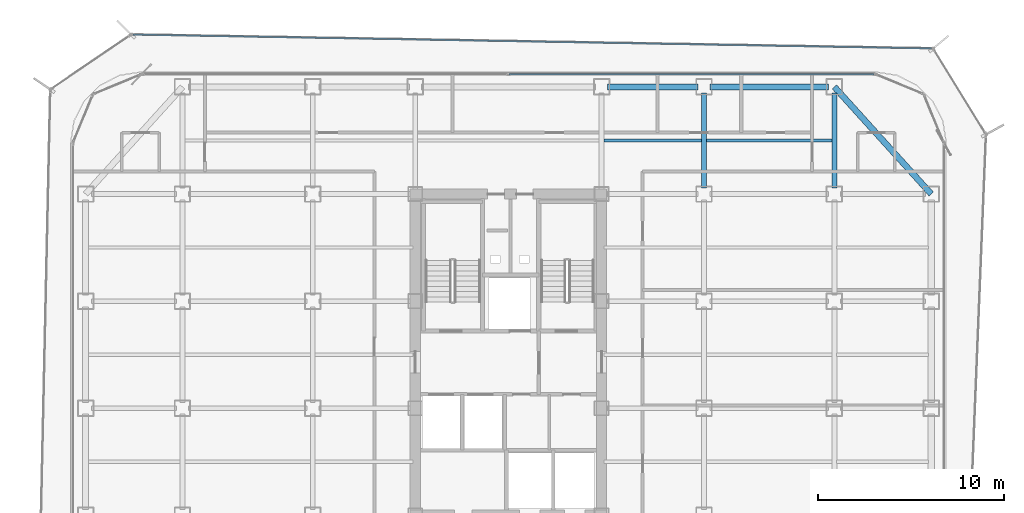
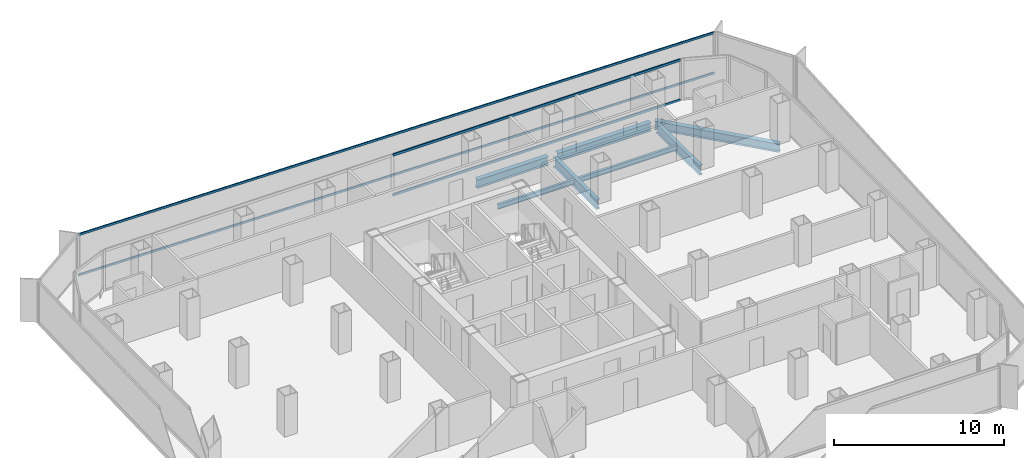
# One storey, part 13 of 21: 7 beams, 4 members, 2 elements without a shape of their own.
"""IFC4 building model written with IfcOpenShell, lengths in metres."""

import ifcopenshell
import ifcopenshell.guid

model = None  # the IFC model being written
_history = None  # IfcOwnerHistory: only IFC2X3 demands one
_inside = {}  # id of a spatial element -> (the spatial element, [elements in it])
_under = {}  # id of a project, library or spatial element -> (it, [spatial elements below it])
_declared = {}  # id of a project -> (the project, [libraries it declares])
_typed = {}  # id of a type object -> (the type object, [elements of that type])
_made_of = {}  # id of a material, layer set ... -> (it, [elements and type objects made of it])


def new_model(schema):
    """Start an empty IFC model of exactly this schema.

    Asked for "IFC4X3", IfcOpenShell would pick the latest addendum, in which some entities
    have other attributes; the version numbers below select the first issue.
    IFC2X3 requires an IfcOwnerHistory on every rooted entity: one is made here for all.
    """
    global model, _history
    if schema == "IFC4X3":
        model = ifcopenshell.file(schema_version=(4, 3, 0, 0))
    else:
        model = ifcopenshell.file(schema=schema)
    _inside.clear()
    _under.clear()
    _declared.clear()
    _typed.clear()
    _made_of.clear()
    _history = None
    if model.schema == "IFC2X3":
        org = make("IfcOrganization", Name="unknown")
        user = make(
            "IfcPersonAndOrganization",
            ThePerson=make("IfcPerson", FamilyName="unknown"),
            TheOrganization=org,
        )
        app = make(
            "IfcApplication",
            ApplicationDeveloper=org,
            Version="unknown",
            ApplicationFullName="unknown",
            ApplicationIdentifier="unknown",
        )
        _history = make(
            "IfcOwnerHistory",
            OwningUser=user,
            OwningApplication=app,
            ChangeAction="ADDED",
            CreationDate=0,
        )
    return model


def make(cls, **values):
    """One entity of the class cls with the attributes given. An attribute that is None is left unset."""
    return model.create_entity(
        cls, **{name: value for name, value in values.items() if value is not None}
    )


def rooted(cls, **values):
    """An entity with a GlobalId (a new one), such as an element, a storey or a relation."""
    return make(cls, GlobalId=ifcopenshell.guid.new(), OwnerHistory=_history, **values)


def si_unit(unit_type, name, prefix=None):
    """IfcSIUnit, for example si_unit("LENGTHUNIT", "METRE", prefix="MILLI")."""
    return make("IfcSIUnit", UnitType=unit_type, Prefix=prefix, Name=name)


def assignment(units):
    """IfcUnitAssignment: the units of a project."""
    return None if units is None else make("IfcUnitAssignment", Units=units)


def point(xyz):
    """IfcCartesianPoint."""
    return None if xyz is None else make("IfcCartesianPoint", Coordinates=xyz)


def direction(xyz):
    """IfcDirection."""
    return None if xyz is None else make("IfcDirection", DirectionRatios=xyz)


def frame(location, z_axis=None, x_axis=None):
    """IfcAxis2Placement3D, a coordinate frame: its origin and axes. An axis left out is left unset."""
    return make(
        "IfcAxis2Placement3D",
        Location=point(location),
        Axis=direction(z_axis),
        RefDirection=direction(x_axis),
    )


def frame_2d(location, x_axis=None):
    """IfcAxis2Placement2D, a coordinate frame in the plane: its origin and x axis."""
    return make(
        "IfcAxis2Placement2D", Location=point(location), RefDirection=direction(x_axis)
    )


def origin():
    """The frame at (0, 0, 0) with its axes left unset."""
    return frame((0.0, 0.0, 0.0))


def origin_2d():
    """The frame at (0, 0) in the plane with its x axis left unset."""
    return frame_2d((0.0, 0.0))


def place(relative_to, where):
    """IfcLocalPlacement: puts the frame where relative to a parent placement (None: the world)."""
    return make(
        "IfcLocalPlacement", PlacementRelTo=relative_to, RelativePlacement=where
    )


def context(
    kind, dimensions, precision=None, world=None, true_north=None, identifier=None
):
    """IfcGeometricRepresentationContext, for example the 3D "Model" context."""
    return make(
        "IfcGeometricRepresentationContext",
        ContextIdentifier=identifier,
        ContextType=kind,
        CoordinateSpaceDimension=dimensions,
        Precision=precision,
        WorldCoordinateSystem=world,
        TrueNorth=true_north,
    )


def subcontext(parent, identifier, kind, view, scale=None):
    """IfcGeometricRepresentationSubContext, for example "Body" below "Model"."""
    return make(
        "IfcGeometricRepresentationSubContext",
        ContextIdentifier=identifier,
        ContextType=kind,
        ParentContext=parent,
        TargetScale=scale,
        TargetView=view,
    )


def project(units=None, contexts=None):
    """IfcProject with its units and contexts."""
    return rooted(
        "IfcProject",
        Name="project",
        RepresentationContexts=contexts,
        UnitsInContext=assignment(units),
    )


def spatial(cls, under=None, at=None, **own):
    """A site, building, storey or space (cls), placed at a placement, below another one or the project."""
    s = rooted(cls, ObjectPlacement=at, **own)
    if under is not None:
        _under.setdefault(under.id(), (under, []))[1].append(s)
    return s


def profile(cls, at=None, kind="AREA", **sizes):
    """A parametric profile (cls). Its sizes go by their IFC names, for example OverallWidth=200.0."""
    return make(cls, ProfileType=kind, Position=at, **sizes)


def hollow_rectangle(**sizes):
    """IfcRectangleHollowProfileDef."""
    return profile("IfcRectangleHollowProfileDef", **sizes)


def i_section(**sizes):
    """IfcIShapeProfileDef."""
    return profile("IfcIShapeProfileDef", **sizes)


def extrude(swept, where, along, depth):
    """IfcExtrudedAreaSolid: the profile swept, set in the frame where, extruded along a direction by depth."""
    return make(
        "IfcExtrudedAreaSolid",
        SweptArea=swept,
        Position=where,
        ExtrudedDirection=direction(along),
        Depth=depth,
    )


def shape(context_of_items, identifier, shape_type, items):
    """IfcShapeRepresentation: the items that make up one representation, for example the "Body"."""
    return make(
        "IfcShapeRepresentation",
        ContextOfItems=context_of_items,
        RepresentationIdentifier=identifier,
        RepresentationType=shape_type,
        Items=items,
    )


def source(mapping_origin, context_of_items, identifier, shape_type, items):
    """IfcRepresentationMap: a shape defined once, which mapped items show again and again."""
    return make(
        "IfcRepresentationMap",
        MappingOrigin=mapping_origin,
        MappedRepresentation=shape(context_of_items, identifier, shape_type, items),
    )


def transform(
    local_origin,
    x_axis=None,
    y_axis=None,
    z_axis=None,
    scale=None,
    scale2=None,
    scale3=None,
    uniform=True,
):
    """IfcCartesianTransformationOperator3D, or its non-uniform kind. x_axis, y_axis, z_axis: its Axis1, 2, 3."""
    if uniform:
        return make(
            "IfcCartesianTransformationOperator3D",
            Axis1=direction(x_axis),
            Axis2=direction(y_axis),
            LocalOrigin=point(local_origin),
            Scale=scale,
            Axis3=direction(z_axis),
        )
    return make(
        "IfcCartesianTransformationOperator3DnonUniform",
        Axis1=direction(x_axis),
        Axis2=direction(y_axis),
        LocalOrigin=point(local_origin),
        Scale=scale,
        Axis3=direction(z_axis),
        Scale2=scale2,
        Scale3=scale3,
    )


def mapped(mapping_source, mapping_target):
    """IfcMappedItem: shows the shape of a source again, moved by a transform."""
    return make(
        "IfcMappedItem", MappingSource=mapping_source, MappingTarget=mapping_target
    )


def material(Name=None, Category=None):
    """IfcMaterial."""
    return make("IfcMaterial", Name=Name, Category=Category)


def layer(
    of_material, thickness, ventilated=None, Name=None, Category=None, Priority=None
):
    """IfcMaterialLayer: one layer of a wall or slab, of a material (None: an air gap)."""
    return make(
        "IfcMaterialLayer",
        Material=of_material,
        LayerThickness=thickness,
        IsVentilated=ventilated,
        Name=Name,
        Category=Category,
        Priority=Priority,
    )


def layer_set(layers, Name=None):
    """IfcMaterialLayerSet."""
    return make("IfcMaterialLayerSet", MaterialLayers=layers, LayerSetName=Name)


def material_profile(
    of_material, cross_section, Name=None, Category=None, Priority=None
):
    """IfcMaterialProfile: a cross section and its material."""
    return make(
        "IfcMaterialProfile",
        Name=Name,
        Material=of_material,
        Profile=cross_section,
        Priority=Priority,
        Category=Category,
    )


def profile_set(profiles, Name=None, composite=None):
    """IfcMaterialProfileSet."""
    return make(
        "IfcMaterialProfileSet",
        Name=Name,
        MaterialProfiles=profiles,
        CompositeProfile=composite,
    )


def made_of(thing, what):
    """Note that an element or type object is made of a material, layer set ...; save() writes the relation."""
    if what is not None:
        _made_of.setdefault(what.id(), (what, []))[1].append(thing)
    return thing


def type_object(cls, material=None, **own):
    """A type object (cls), such as IfcWallType, which elements share."""
    return made_of(rooted(cls, **own), material)


def element(
    cls,
    number,
    at=None,
    inside=None,
    cuts=None,
    type_object=None,
    material=None,
    context=None,
    identifier="Body",
    shape_type=None,
    held_by="IfcProductDefinitionShape",
    body=None,
    shapes=None,
    **own,
):
    """One element of the class cls, such as IfcWall. Its Tag is "e" and its number.

    at: its placement. inside: the storey or other place that contains it. cuts: it is an
    opening in that element (IfcRelVoidsElement). A single representation is given by context,
    identifier, shape_type and body (its items); several are given by shapes. held_by: the class
    of the entity that holds the representations. save() writes the other relations.
    """
    e = rooted(cls, Tag="e%d" % number, ObjectPlacement=at, **own)
    if body is not None:
        shapes = [shape(context, identifier, shape_type, body)]
    if shapes is not None:
        e.Representation = make(held_by, Representations=shapes)
    if inside is not None:
        _inside.setdefault(inside.id(), (inside, []))[1].append(e)
    if cuts is not None:
        rooted(
            "IfcRelVoidsElement", RelatingBuildingElement=cuts, RelatedOpeningElement=e
        )
    if type_object is not None:
        _typed.setdefault(type_object.id(), (type_object, []))[1].append(e)
    return made_of(e, material)


def aggregate(whole, parts):
    """IfcRelAggregates: a whole, such as a stair, and the parts it consists of."""
    return rooted("IfcRelAggregates", RelatingObject=whole, RelatedObjects=parts)


def save(model, path):
    """Write the relations noted so far, then the file.

    IfcRelAggregates (storeys below a building ...), IfcRelContainedInSpatialStructure (elements
    in a storey), IfcRelDefinesByType, IfcRelAssociatesMaterial and IfcRelDeclares: one each for
    every whole, place, type object, material and project.
    """
    for whole, parts in _under.values():
        aggregate(whole, parts)
    for where, things in _inside.values():
        rooted(
            "IfcRelContainedInSpatialStructure",
            RelatedElements=things,
            RelatingStructure=where,
        )
    for kind, things in _typed.values():
        rooted("IfcRelDefinesByType", RelatedObjects=things, RelatingType=kind)
    for what, things in _made_of.values():
        rooted("IfcRelAssociatesMaterial", RelatedObjects=things, RelatingMaterial=what)
    for by, libraries in _declared.values():
        rooted("IfcRelDeclares", RelatingContext=by, RelatedDefinitions=libraries)
    model.write(path)


model = new_model("IFC4")

# Units and contexts
model_context = context("Model", 3, precision=1e-05, world=origin(), true_north=direction((0.0, 1.0)))
body_context = subcontext(model_context, "Body", "Model", "MODEL_VIEW")
ifc_project = project(units=[si_unit("LENGTHUNIT", "METRE"), si_unit("AREAUNIT", "SQUARE_METRE"), si_unit("VOLUMEUNIT", "CUBIC_METRE"), si_unit("PLANEANGLEUNIT", "RADIAN"), si_unit("MASSUNIT", "GRAM", prefix="KILO")], contexts=[model_context])

# Site, building, storey
site_placement = place(None, origin())
site = spatial("IfcSite", under=ifc_project, at=site_placement, CompositionType="ELEMENT")
building_placement = place(site_placement, origin())
building = spatial("IfcBuilding", under=site, at=building_placement, Name="Kolveth Station Tower", CompositionType="ELEMENT")
storey_placement = place(building_placement, frame((0.0, 0.0, 121.5)))
storey = spatial("IfcBuildingStorey", under=building, at=storey_placement, Name="L33", CompositionType="ELEMENT", Elevation=121.5)

# Beams
ifc_material_1 = material(Name="Steel S355", Category="steel")
ifc_material_profile_1 = material_profile(ifc_material_1, i_section(OverallWidth=0.323974609375, OverallDepth=0.611083984375, WebThickness=0.0126953125, FlangeThickness=0.01904296875, at=origin_2d()), Name="W610x155")
ifc_profile_set_1 = profile_set([ifc_material_profile_1], Name="Steel S355")
beam_type_1 = type_object("IfcBeamType", Name="Beam_SP2", PredefinedType="SPANDREL", material=ifc_profile_set_1)
shared_shape_1 = source(origin(), body_context, "Body", "SweptSolid", [
    extrude(i_section(OverallWidth=0.323974609375, OverallDepth=0.611083984375, WebThickness=0.0126953125, FlangeThickness=0.01904296875, at=origin_2d()), origin(), (0.0, 0.0, 1.0), 6.35986328125),
])
beam_1_placement = place(storey_placement, frame((34.320068359375, 34.5, -0.555419921875), z_axis=(1.0, 0.0, 0.0), x_axis=(0.0, 1.0, 0.0)))
element("IfcBeam", 1, at=beam_1_placement, inside=storey, type_object=beam_type_1, Name="L33 Perimeter Spandrel BM-L33-PN-5", PredefinedType="SPANDREL", context=body_context, shape_type="MappedRepresentation", body=[
    mapped(shared_shape_1, transform((0.0, 0.0, 0.0), x_axis=(1.0, 0.0, 0.0), y_axis=(0.0, 1.0, 0.0), z_axis=(0.0, 0.0, 1.0), scale=1.0)),
])
shared_shape_2 = source(origin(), body_context, "Body", "SweptSolid", [
    extrude(i_section(OverallWidth=0.323974609375, OverallDepth=0.611083984375, WebThickness=0.0126953125, FlangeThickness=0.01904296875, at=origin_2d()), origin(), (0.0, 0.0, 1.0), 4.85986328125),
])
beam_2_placement = place(storey_placement, frame((28.820068359375, 34.5, -0.555419921875), z_axis=(1.0, 0.0, 0.0), x_axis=(0.0, 1.0, 0.0)))
element("IfcBeam", 2, at=beam_2_placement, inside=storey, type_object=beam_type_1, Name="L33 Perimeter Spandrel BM-L33-PN-4", PredefinedType="SPANDREL", context=body_context, shape_type="MappedRepresentation", body=[
    mapped(shared_shape_2, transform((0.0, 0.0, 0.0), x_axis=(1.0, 0.0, 0.0), y_axis=(0.0, 1.0, 0.0), z_axis=(0.0, 0.0, 1.0), scale=1.0)),
])
shared_shape_3 = source(origin(), body_context, "Body", "SweptSolid", [
    extrude(i_section(OverallWidth=0.323974609375, OverallDepth=0.611083984375, WebThickness=0.0126953125, FlangeThickness=0.01904296875, at=origin_2d()), origin(), (0.0, 0.0, 1.0), 7.75244140625),
])
beam_3_placement = place(storey_placement, frame((46.199951171875, 28.75, -0.555419921875), z_axis=(-0.670740965555, 0.74169168603, 0.0), x_axis=(-0.74169168603, -0.670740965555, 0.0)))
element("IfcBeam", 3, at=beam_3_placement, inside=storey, type_object=beam_type_1, Name="L33 Corner Edge Girder BM-L33-CNR-NE", PredefinedType="SPANDREL", context=body_context, shape_type="MappedRepresentation", body=[
    mapped(shared_shape_3, transform((0.0, 0.0, 0.0), x_axis=(1.0, 0.0, 0.0), y_axis=(0.0, 1.0, 0.0), z_axis=(0.0, 0.0, 1.0), scale=1.0)),
])
ifc_material_profile_2 = material_profile(ifc_material_1, i_section(OverallWidth=0.25390625, OverallDepth=0.68798828125, WebThickness=0.01318359375, FlangeThickness=0.02099609375, at=origin_2d()), Name="W690x152")
ifc_profile_set_2 = profile_set([ifc_material_profile_2], Name="Steel S355")
beam_type_2 = type_object("IfcBeamType", Name="Beam_B4", PredefinedType="BEAM", material=ifc_profile_set_2)
shared_shape_4 = source(origin(), body_context, "Body", "SweptSolid", [
    extrude(i_section(OverallWidth=0.25390625, OverallDepth=0.68798828125, WebThickness=0.01318359375, FlangeThickness=0.02099609375, at=origin_2d()), origin(), (0.0, 0.0, 1.0), 5.10986328125),
])
for number, where, z_axis, x_axis, name in (
    (4, (34.0, 29.070068359375, -0.593994140625), (0.0, 1.0, 0.0), (-1.0, 0.0, 0.0), "L33 Primary Girder BM-L33-GX340-6"),
    (5, (41.0, 29.070068359375, -0.593994140625), (0.0, 1.0, 0.0), (-1.0, 0.0, 0.0), "L33 Primary Girder BM-L33-GX410-6"),
):
    element("IfcBeam", number, at=place(storey_placement, frame(where, z_axis=z_axis, x_axis=x_axis)), inside=storey, type_object=beam_type_2, Name=name, PredefinedType="BEAM", context=body_context, shape_type="MappedRepresentation", body=[
        mapped(shared_shape_4, transform((0.0, 0.0, 0.0), x_axis=(1.0, 0.0, 0.0), y_axis=(0.0, 1.0, 0.0), z_axis=(0.0, 0.0, 1.0), scale=1.0)),
    ])
ifc_material_profile_3 = material_profile(ifc_material_1, i_section(OverallWidth=0.1708984375, OverallDepth=0.35205078125, WebThickness=0.0068359375, FlangeThickness=0.009765625, at=origin_2d()), Name="W360x44")
ifc_profile_set_3 = profile_set([ifc_material_profile_3], Name="Steel S355")
beam_type_3 = type_object("IfcBeamType", Name="Beam_J2", PredefinedType="JOIST", material=ifc_profile_set_3)
shared_shape_5 = source(origin(), body_context, "Body", "SweptSolid", [
    extrude(i_section(OverallWidth=0.1708984375, OverallDepth=0.35205078125, WebThickness=0.0068359375, FlangeThickness=0.009765625, at=origin_2d()), origin(), (0.0, 0.0, 1.0), 6.75),
])
beam_4_placement = place(storey_placement, frame((34.125, 31.625, -0.426025390625), z_axis=(1.0, 0.0, 0.0), x_axis=(0.0, 1.0, 0.0)))
element("IfcBeam", 6, at=beam_4_placement, inside=storey, type_object=beam_type_3, Name="L33 Secondary Joist JST-L33-6-6", PredefinedType="JOIST", context=body_context, shape_type="MappedRepresentation", body=[
    mapped(shared_shape_5, transform((0.0, 0.0, 0.0), x_axis=(1.0, 0.0, 0.0), y_axis=(0.0, 1.0, 0.0), z_axis=(0.0, 0.0, 1.0), scale=1.0)),
])
shared_shape_6 = source(origin(), body_context, "Body", "SweptSolid", [
    extrude(i_section(OverallWidth=0.1708984375, OverallDepth=0.35205078125, WebThickness=0.0068359375, FlangeThickness=0.009765625, at=origin_2d()), origin(), (0.0, 0.0, 1.0), 5.25),
])
beam_5_placement = place(storey_placement, frame((28.625, 31.625, -0.426025390625), z_axis=(1.0, 0.0, 0.0), x_axis=(0.0, 1.0, 0.0)))
element("IfcBeam", 7, at=beam_5_placement, inside=storey, type_object=beam_type_3, Name="L33 Secondary Joist JST-L33-5-6", PredefinedType="JOIST", context=body_context, shape_type="MappedRepresentation", body=[
    mapped(shared_shape_6, transform((0.0, 0.0, 0.0), x_axis=(1.0, 0.0, 0.0), y_axis=(0.0, 1.0, 0.0), z_axis=(0.0, 0.0, 1.0), scale=1.0)),
])

# Curtain wall, members
ifc_material_2 = material(Name="Aluminium 6063-T6 and low-E dark glass", Category="aluminium")
ifc_layer_1 = layer(ifc_material_2, 0.18994140625)
ifc_layer_set_1 = layer_set([ifc_layer_1], Name="Aluminium 6063-T6 and low-E dark glass")
curtain_wall_type_1 = type_object("IfcCurtainWallType", Name="CurtainWall_CW-Z2", PredefinedType="NOTDEFINED", material=ifc_layer_set_1)
curtain_wall_1_placement = place(storey_placement, origin())
curtain_wall_1 = element("IfcCurtainWall", 8, at=curtain_wall_1_placement, inside=storey, type_object=curtain_wall_type_1, Name="L33 Inner Thermal Curtain Wall 6", PredefinedType="NOTDEFINED")
ifc_material_3 = material(Name="Black anodized aluminium 6063-T6", Category="aluminium")
ifc_material_profile_4 = material_profile(ifc_material_3, hollow_rectangle(XDim=0.080078125, YDim=0.169921875, WallThickness=0.0048828125, at=origin_2d()), Name="ALU-80x170x5")
ifc_profile_set_4 = profile_set([ifc_material_profile_4], Name="Black anodized aluminium 6063-T6")
member_type_1 = type_object("IfcMemberType", Name="Transom_TR2", PredefinedType="USERDEFINED", material=ifc_profile_set_4)
shared_shape_7 = source(origin(), body_context, "Body", "SweptSolid", [
    extrude(hollow_rectangle(XDim=0.080078125, YDim=0.169921875, WallThickness=0.0048828125, at=origin_2d()), origin(), (0.0, 0.0, 1.0), 19.580078125),
])
member_1_placement = place(storey_placement, frame((43.1201171875, 35.179931640625, 0.0400390625), z_axis=(-1.0, 0.0, 0.0), x_axis=(0.0, -1.0, 0.0)))
member_1 = element("IfcMember", 9, at=member_1_placement, type_object=member_type_1, Name="CW-Z2 transom 1.1", ObjectType="TRANSOM", PredefinedType="USERDEFINED", context=body_context, shape_type="MappedRepresentation", body=[
    mapped(shared_shape_7, transform((0.0, 0.0, 0.0), x_axis=(1.0, 0.0, 0.0), y_axis=(0.0, 1.0, 0.0), z_axis=(0.0, 0.0, 1.0), scale=1.0)),
])
member_2_placement = place(storey_placement, frame((43.1201171875, 35.179931640625, 2.909912109375), z_axis=(-1.0, 0.0, 0.0), x_axis=(0.0, -1.0, 0.0)))
member_2 = element("IfcMember", 10, at=member_2_placement, type_object=member_type_1, Name="CW-Z2 transom 1.2", ObjectType="TRANSOM", PredefinedType="USERDEFINED", context=body_context, shape_type="MappedRepresentation", body=[
    mapped(shared_shape_7, transform((0.0, 0.0, 0.0), x_axis=(1.0, 0.0, 0.0), y_axis=(0.0, 1.0, 0.0), z_axis=(0.0, 0.0, 1.0), scale=1.0)),
])
aggregate(curtain_wall_1, [member_1, member_2])

ifc_material_4 = material(Name="Black anodized aluminium 6063-T6 and dark solar glass", Category="aluminium")
ifc_layer_2 = layer(ifc_material_4, 0.159912109375)
ifc_layer_set_2 = layer_set([ifc_layer_2], Name="Black anodized aluminium 6063-T6 and dark solar glass")
curtain_wall_type_2 = type_object("IfcCurtainWallType", Name="OUTER SKIN CW-OS", PredefinedType="NOTDEFINED", material=ifc_layer_set_2)
curtain_wall_2_placement = place(storey_placement, origin())
curtain_wall_2 = element("IfcCurtainWall", 11, at=curtain_wall_2_placement, inside=storey, type_object=curtain_wall_type_2, Name="L33 Outer Ventilated Skin Curtain Wall 4", PredefinedType="NOTDEFINED")
ifc_material_profile_5 = material_profile(ifc_material_3, hollow_rectangle(XDim=0.080078125, YDim=0.14990234375, WallThickness=0.0048828125, at=origin_2d()), Name="ALU-80x150x5")
ifc_profile_set_5 = profile_set([ifc_material_profile_5], Name="Black anodized aluminium 6063-T6")
member_type_2 = type_object("IfcMemberType", Name="Transom_TR-OS", PredefinedType="USERDEFINED", material=ifc_profile_set_5)
shared_shape_8 = source(origin(), body_context, "Body", "SweptSolid", [
    extrude(hollow_rectangle(XDim=0.080078125, YDim=0.14990234375, WallThickness=0.0048828125, at=origin_2d()), origin(), (0.0, 0.0, 1.0), 42.877685546875),
])
member_3_placement = place(storey_placement, frame((46.214599609375, 36.566162109375, 0.0400390625), z_axis=(-0.999849093801, 0.01737209331, 0.0), x_axis=(-0.01737209331, -0.999849093801, 0.0)))
member_3 = element("IfcMember", 12, at=member_3_placement, type_object=member_type_2, Name="CW-OS transom 1.1", ObjectType="TRANSOM", PredefinedType="USERDEFINED", context=body_context, shape_type="MappedRepresentation", body=[
    mapped(shared_shape_8, transform((0.0, 0.0, 0.0), x_axis=(1.0, 0.0, 0.0), y_axis=(0.0, 1.0, 0.0), z_axis=(0.0, 0.0, 1.0), scale=1.0)),
])
member_4_placement = place(storey_placement, frame((46.214599609375, 36.566162109375, 2.949951171875), z_axis=(-0.999849093801, 0.01737209331, 0.0), x_axis=(-0.01737209331, -0.999849093801, 0.0)))
member_4 = element("IfcMember", 13, at=member_4_placement, type_object=member_type_2, Name="CW-OS transom 1.2", ObjectType="TRANSOM", PredefinedType="USERDEFINED", context=body_context, shape_type="MappedRepresentation", body=[
    mapped(shared_shape_8, transform((0.0, 0.0, 0.0), x_axis=(1.0, 0.0, 0.0), y_axis=(0.0, 1.0, 0.0), z_axis=(0.0, 0.0, 1.0), scale=1.0)),
])
aggregate(curtain_wall_2, [member_3, member_4])

save(model, "model.ifc")
